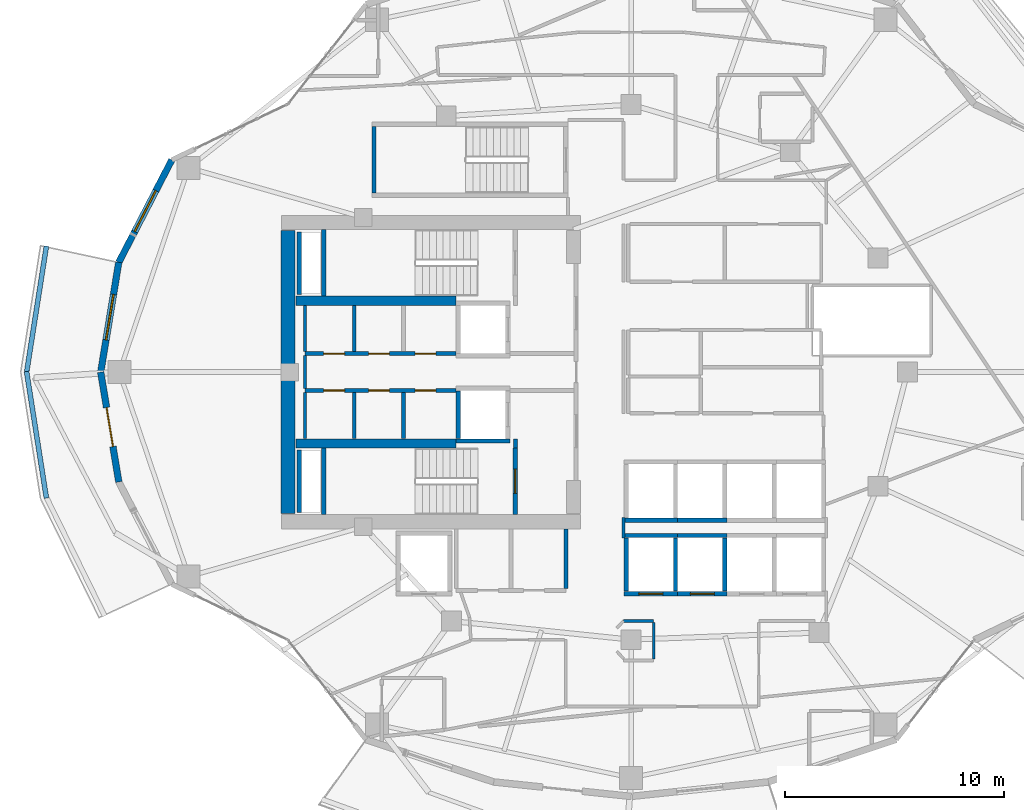
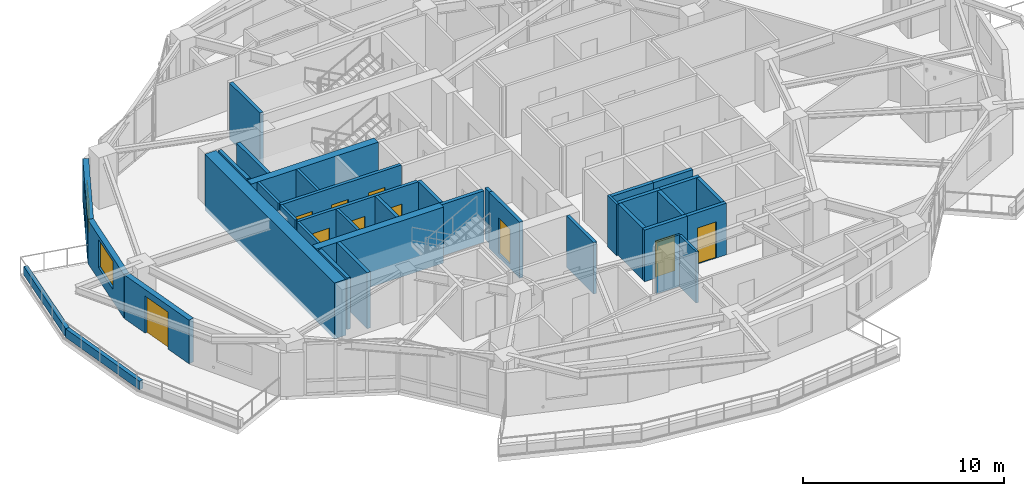
# One storey, part 8 of 18: 38 walls, 10 doors, 2 windows, 12 openings.
"""IFC4 building model written with IfcOpenShell, lengths in metres."""

from ifc_helpers import new_model, si_unit, direction, frame, frame_2d, origin, place, context, subcontext, project, spatial, rectangle, extrude, material, layer, layer_set, type_object, element, fill, save


model = new_model("IFC4")

# Units and contexts
model_context = context("Model", 3, precision=1e-05, world=origin(), true_north=direction((0.0, 1.0)))
body_context = subcontext(model_context, "Body", "Model", "MODEL_VIEW")
ifc_project = project(units=[si_unit("LENGTHUNIT", "METRE"), si_unit("AREAUNIT", "SQUARE_METRE"), si_unit("VOLUMEUNIT", "CUBIC_METRE"), si_unit("PLANEANGLEUNIT", "RADIAN"), si_unit("MASSUNIT", "GRAM", prefix="KILO")], contexts=[model_context])

# Site, building, storey
site_placement = place(None, origin())
site = spatial("IfcSite", under=ifc_project, at=site_placement, CompositionType="ELEMENT")
building_placement = place(site_placement, origin())
building = spatial("IfcBuilding", under=site, at=building_placement, Name="Kolvaren Gate Tower and Convention Centre", CompositionType="ELEMENT")
storey_placement = place(building_placement, frame((0.0, 0.0, 108.699951171875)))
storey = spatial("IfcBuildingStorey", under=building, at=storey_placement, Name="L26", CompositionType="ELEMENT", Elevation=108.699951171875)

# Wall
ifc_material_1 = material(Name="Autoclaved Aerated Masonry Blockwork Class 4 (4.0 MPa)", Category="masonry")
ifc_layer_1 = layer(ifc_material_1, 0.179931640625)
ifc_layer_set_1 = layer_set([ifc_layer_1], Name="Autoclaved Aerated Masonry Blockwork Class 4 (4.0 MPa)")
wall_type_1 = type_object("IfcWallType", Name="ARCH-WL-COMP-180", PredefinedType="SOLIDWALL", material=ifc_layer_set_1)
wall_1_placement = place(storey_placement, frame((24.85009765625, 23.5400390625, 0.0), z_axis=(0.0, 0.0, 1.0), x_axis=(0.0, 1.0, 0.0)))
element("IfcWall", 1, at=wall_1_placement, inside=storey, type_object=wall_type_1, Name="Interior Partition WL-L26-INT-001", PredefinedType="SOLIDWALL", context=body_context, shape_type="SweptSolid", body=[
    extrude(rectangle(XDim=0.419921875, YDim=0.179931640625, at=frame_2d((0.2099609375, 0.0))), origin(), (0.0, 0.0, 1.0), 3.130126953125),
])

# Wall, openings, doors
wall_2_placement = place(storey_placement, frame((15.25, 27.840087890625, 0.0), z_axis=(0.0, 0.0, 1.0), x_axis=(1.0, 0.0, 0.0)))
wall_2 = element("IfcWall", 2, at=wall_2_placement, inside=storey, type_object=wall_type_1, Name="Interior Partition WL-L26-INT-004", PredefinedType="SOLIDWALL", context=body_context, shape_type="SweptSolid", body=[
    extrude(rectangle(XDim=6.89990234375, YDim=0.179931640625, at=frame_2d((3.449951171875, 0.0))), origin(), (0.0, 0.0, 1.0), 3.130126953125),
])
opening_1_placement = place(wall_2_placement, frame((5.02001953125, 0.0, 0.0)))
opening_1 = element("IfcOpeningElement", 3, at=opening_1_placement, cuts=wall_2, Name="Opening DR-01", PredefinedType="OPENING", context=body_context, shape_type="SweptSolid", body=[
    extrude(rectangle(XDim=0.949951171875, YDim=2.10009765625, at=frame_2d((0.47509765625, 1.050048828125))), frame((0.0, 0.099853515625, 0.0), z_axis=(0.0, -1.0, 0.0), x_axis=(1.0, 0.0, 0.0)), (0.0, 0.0, 1.0), 0.199951171875),
])
opening_2_placement = place(wall_2_placement, frame((0.85498046875, 0.0, 0.0)))
opening_2 = element("IfcOpeningElement", 4, at=opening_2_placement, cuts=wall_2, Name="Opening DR-01", PredefinedType="OPENING", context=body_context, shape_type="SweptSolid", body=[
    extrude(rectangle(XDim=0.949951171875, YDim=2.10009765625, at=frame_2d((0.47509765625, 1.050048828125))), frame((0.0, 0.099853515625, 0.0), z_axis=(0.0, -1.0, 0.0), x_axis=(1.0, 0.0, 0.0)), (0.0, 0.0, 1.0), 0.199951171875),
])
opening_3_placement = place(wall_2_placement, frame((2.89990234375, 0.0, 0.0)))
opening_3 = element("IfcOpeningElement", 5, at=opening_3_placement, cuts=wall_2, Name="Opening DR-01", PredefinedType="OPENING", context=body_context, shape_type="SweptSolid", body=[
    extrude(rectangle(XDim=0.949951171875, YDim=2.10009765625, at=frame_2d((0.47509765625, 1.050048828125))), frame((0.0, 0.099853515625, 0.0), z_axis=(0.0, -1.0, 0.0), x_axis=(1.0, 0.0, 0.0)), (0.0, 0.0, 1.0), 0.199951171875),
])
ifc_material_2 = material(Name="Painted Architectural Steelwork ASTM A500 Grade C 345 MPa", Category="steel")
door_type_1 = type_object("IfcDoorType", Name="ARCH-DR-RISER-950", OperationType="SINGLE_SWING_RIGHT", PredefinedType="DOOR", material=ifc_material_2)
door_1_placement = place(opening_1_placement, origin())
door_1 = element("IfcDoor", 6, at=door_1_placement, inside=storey, type_object=door_type_1, Name="Electrical Switchgear Closet Door", OperationType="SINGLE_SWING_LEFT", OverallHeight=2.10009765625, OverallWidth=0.949951171875, PredefinedType="DOOR", context=body_context, shape_type="SweptSolid", body=[
    extrude(rectangle(XDim=0.949951171875, YDim=2.10009765625, at=frame_2d((0.47509765625, 1.050048828125))), frame((0.0, 0.02490234375, 0.0), z_axis=(0.0, -1.0, 0.0), x_axis=(1.0, 0.0, 0.0)), (0.0, 0.0, 1.0), 0.050048828125),
])
fill(opening_1, door_1)
door_2_placement = place(opening_2_placement, origin())
door_2 = element("IfcDoor", 7, at=door_2_placement, inside=storey, type_object=door_type_1, Name="Staff Accessible WC Door", OperationType="SINGLE_SWING_LEFT", OverallHeight=2.10009765625, OverallWidth=0.949951171875, PredefinedType="DOOR", context=body_context, shape_type="SweptSolid", body=[
    extrude(rectangle(XDim=0.949951171875, YDim=2.10009765625, at=frame_2d((0.47509765625, 1.050048828125))), frame((0.0, 0.02490234375, 0.0), z_axis=(0.0, -1.0, 0.0), x_axis=(1.0, 0.0, 0.0)), (0.0, 0.0, 1.0), 0.050048828125),
])
fill(opening_2, door_2)
door_3_placement = place(opening_3_placement, origin())
door_3 = element("IfcDoor", 8, at=door_3_placement, inside=storey, type_object=door_type_1, Name="Housekeeping Sink Closet Door", OperationType="SINGLE_SWING_RIGHT", OverallHeight=2.10009765625, OverallWidth=0.949951171875, PredefinedType="DOOR", context=body_context, shape_type="SweptSolid", body=[
    extrude(rectangle(XDim=0.949951171875, YDim=2.10009765625, at=frame_2d((0.47509765625, 1.050048828125))), frame((0.0, 0.02490234375, 0.0), z_axis=(0.0, -1.0, 0.0), x_axis=(1.0, 0.0, 0.0)), (0.0, 0.0, 1.0), 0.050048828125),
])
fill(opening_3, door_3)

wall_3_placement = place(storey_placement, frame((15.25, 26.159912109375, 0.0), z_axis=(0.0, 0.0, 1.0), x_axis=(1.0, 0.0, 0.0)))
wall_3 = element("IfcWall", 9, at=wall_3_placement, inside=storey, type_object=wall_type_1, Name="Interior Partition WL-L26-INT-005", PredefinedType="SOLIDWALL", context=body_context, shape_type="SweptSolid", body=[
    extrude(rectangle(XDim=6.89990234375, YDim=0.179931640625, at=frame_2d((3.449951171875, 0.0))), origin(), (0.0, 0.0, 1.0), 3.130126953125),
])
opening_4_placement = place(wall_3_placement, frame((5.02001953125, 0.0, 0.0)))
opening_4 = element("IfcOpeningElement", 10, at=opening_4_placement, cuts=wall_3, Name="Opening DR-01", PredefinedType="OPENING", context=body_context, shape_type="SweptSolid", body=[
    extrude(rectangle(XDim=0.949951171875, YDim=2.10009765625, at=frame_2d((0.47509765625, 1.050048828125))), frame((0.0, 0.099853515625, 0.0), z_axis=(0.0, -1.0, 0.0), x_axis=(1.0, 0.0, 0.0)), (0.0, 0.0, 1.0), 0.199951171875),
])
opening_5_placement = place(wall_3_placement, frame((0.85498046875, 0.0, 0.0)))
opening_5 = element("IfcOpeningElement", 11, at=opening_5_placement, cuts=wall_3, Name="Opening DR-01", PredefinedType="OPENING", context=body_context, shape_type="SweptSolid", body=[
    extrude(rectangle(XDim=0.949951171875, YDim=2.10009765625, at=frame_2d((0.47509765625, 1.050048828125))), frame((0.0, 0.099853515625, 0.0), z_axis=(0.0, -1.0, 0.0), x_axis=(1.0, 0.0, 0.0)), (0.0, 0.0, 1.0), 0.199951171875),
])
opening_6_placement = place(wall_3_placement, frame((2.89990234375, 0.0, 0.0)))
opening_6 = element("IfcOpeningElement", 12, at=opening_6_placement, cuts=wall_3, Name="Opening DR-01", PredefinedType="OPENING", context=body_context, shape_type="SweptSolid", body=[
    extrude(rectangle(XDim=0.949951171875, YDim=2.10009765625, at=frame_2d((0.47509765625, 1.050048828125))), frame((0.0, 0.099853515625, 0.0), z_axis=(0.0, -1.0, 0.0), x_axis=(1.0, 0.0, 0.0)), (0.0, 0.0, 1.0), 0.199951171875),
])
door_4_placement = place(opening_4_placement, origin())
door_4 = element("IfcDoor", 13, at=door_4_placement, inside=storey, type_object=door_type_1, Name="Domestic Water Meter Closet Door", OperationType="SINGLE_SWING_RIGHT", OverallHeight=2.10009765625, OverallWidth=0.949951171875, PredefinedType="DOOR", context=body_context, shape_type="SweptSolid", body=[
    extrude(rectangle(XDim=0.949951171875, YDim=2.10009765625, at=frame_2d((0.47509765625, 1.050048828125))), frame((0.0, 0.02490234375, 0.0), z_axis=(0.0, -1.0, 0.0), x_axis=(1.0, 0.0, 0.0)), (0.0, 0.0, 1.0), 0.050048828125),
])
fill(opening_4, door_4)
door_5_placement = place(opening_5_placement, origin())
door_5 = element("IfcDoor", 14, at=door_5_placement, inside=storey, type_object=door_type_1, Name="Beverage Service Pantry Door", OperationType="SINGLE_SWING_LEFT", OverallHeight=2.10009765625, OverallWidth=0.949951171875, PredefinedType="DOOR", context=body_context, shape_type="SweptSolid", body=[
    extrude(rectangle(XDim=0.949951171875, YDim=2.10009765625, at=frame_2d((0.47509765625, 1.050048828125))), frame((0.0, 0.02490234375, 0.0), z_axis=(0.0, -1.0, 0.0), x_axis=(1.0, 0.0, 0.0)), (0.0, 0.0, 1.0), 0.050048828125),
])
fill(opening_5, door_5)
door_6_placement = place(opening_6_placement, origin())
door_6 = element("IfcDoor", 15, at=door_6_placement, inside=storey, type_object=door_type_1, Name="Archive Supply Closet Door", OperationType="SINGLE_SWING_RIGHT", OverallHeight=2.10009765625, OverallWidth=0.949951171875, PredefinedType="DOOR", context=body_context, shape_type="SweptSolid", body=[
    extrude(rectangle(XDim=0.949951171875, YDim=2.10009765625, at=frame_2d((0.47509765625, 1.050048828125))), frame((0.0, 0.02490234375, 0.0), z_axis=(0.0, -1.0, 0.0), x_axis=(1.0, 0.0, 0.0)), (0.0, 0.0, 1.0), 0.050048828125),
])
fill(opening_6, door_6)

# Walls
wall_4_placement = place(storey_placement, frame((19.75, 23.9619140625, 0.0), z_axis=(0.0, 0.0, 1.0), x_axis=(0.0, 1.0, 0.0)))
element("IfcWall", 16, at=wall_4_placement, inside=storey, type_object=wall_type_1, Name="Interior Partition WL-L26-INT-007", PredefinedType="SOLIDWALL", context=body_context, shape_type="SweptSolid", body=[
    extrude(rectangle(XDim=2.106201171875, YDim=0.179931640625, at=frame_2d((1.05322265625, 0.0))), origin(), (0.0, 0.0, 1.0), 3.130126953125),
])
wall_5_placement = place(storey_placement, frame((27.14990234375, 17.14208984375, 0.0), z_axis=(0.0, 0.0, 1.0), x_axis=(0.0, 1.0, 0.0)))
element("IfcWall", 17, at=wall_5_placement, inside=storey, type_object=wall_type_1, Name="Interior Partition WL-L26-INT-015", PredefinedType="SOLIDWALL", context=body_context, shape_type="SweptSolid", body=[
    extrude(rectangle(XDim=2.705810546875, YDim=0.179931640625, at=frame_2d((1.35302734375, 0.0))), origin(), (0.0, 0.0, 1.0), 3.130126953125),
])
ifc_material_3 = material(Name="Fire-Rated Acoustic Gypsum Stud Partition", Category="gypsum")
ifc_layer_2 = layer(ifc_material_3, 0.1201171875)
ifc_layer_set_2 = layer_set([ifc_layer_2], Name="Fire-Rated Acoustic Gypsum Stud Partition")
wall_type_2 = type_object("IfcWallType", Name="ARCH-WL-PART-120", PredefinedType="PARTITIONING", material=ifc_layer_set_2)
wall_6_placement = place(storey_placement, frame((29.780029296875, 15.64990234375, 0.0), z_axis=(0.0, 0.0, 1.0), x_axis=(1.0, 0.0, 0.0)))
element("IfcWall", 18, at=wall_6_placement, inside=storey, type_object=wall_type_2, Name="Interior Partition WL-L26-INT-030", PredefinedType="PARTITIONING", context=body_context, shape_type="SweptSolid", body=[
    extrude(rectangle(XDim=1.369873046875, YDim=0.1201171875, at=frame_2d((0.68505859375, 0.0))), origin(), (0.0, 0.0, 1.0), 3.130126953125),
])
wall_7_placement = place(storey_placement, frame((29.780029296875, 19.43994140625, 0.0), z_axis=(0.0, 0.0, 1.0), x_axis=(0.0, 1.0, 0.0)))
element("IfcWall", 19, at=wall_7_placement, inside=storey, type_object=wall_type_2, Name="Interior Partition WL-L26-INT-040", PredefinedType="PARTITIONING", context=body_context, shape_type="SweptSolid", body=[
    extrude(rectangle(XDim=0.920166015625, YDim=0.1201171875, at=frame_2d((0.4599609375, 0.0))), origin(), (0.0, 0.0, 1.0), 3.130126953125),
])
wall_8_placement = place(storey_placement, frame((31.14990234375, 13.912109375, 0.0), z_axis=(0.0, 0.0, 1.0), x_axis=(0.0, 1.0, 0.0)))
element("IfcWall", 20, at=wall_8_placement, inside=storey, type_object=wall_type_2, Name="Interior Partition WL-L26-INT-059", PredefinedType="PARTITIONING", context=body_context, shape_type="SweptSolid", body=[
    extrude(rectangle(XDim=1.67578125, YDim=0.1201171875, at=frame_2d((0.837890625, 0.0))), origin(), (0.0, 0.0, 1.0), 3.130126953125),
])
ifc_material_4 = material(Name="Piedmont Cream Honed Limestone Cladding", Category="masonry")
ifc_layer_3 = layer(ifc_material_4, 0.219970703125)
ifc_layer_set_3 = layer_set([ifc_layer_3], Name="Piedmont Cream Honed Limestone Cladding")
wall_type_3 = type_object("IfcWallType", Name="ARCH-WL-PLANTER-220", PredefinedType="PARAPET", material=ifc_layer_set_3)
for number, where, z_axis, x_axis, name in (
    (21, (2.555908203125, 26.970703125, 0.0), (0.0, 0.0, 1.0), (0.154903030247, 0.987929679289, 0.0), "Vertical-Forest Balcony Stone Planter Kerb PK-L26-2.1"),
    (22, (2.555908203125, 27.029296875, 0.0), (0.0, 0.0, 1.0), (0.154903030247, -0.987929679289, 0.0), "Vertical-Forest Balcony Stone Planter Kerb PK-L26-2.2"),
):
    element("IfcWall", number, at=place(storey_placement, frame(where, z_axis=z_axis, x_axis=x_axis)), inside=storey, type_object=wall_type_3, Name=name, PredefinedType="PARAPET", context=body_context, shape_type="SweptSolid", body=[
        extrude(rectangle(XDim=5.845703125, YDim=0.219970703125, at=frame_2d((2.9228515625, 0.0))), origin(), (0.0, 0.0, 1.0), 0.52001953125),
    ])
ifc_layer_4 = layer(ifc_material_1, 0.199951171875)
ifc_layer_set_4 = layer_set([ifc_layer_4], Name="Autoclaved Aerated Masonry Blockwork Class 4 (4.0 MPa)")
wall_type_4 = type_object("IfcWallType", Name="ARCH-WL-SHAFT-200", PredefinedType="SOLIDWALL", material=ifc_layer_set_4)
wall_9_placement = place(storey_placement, frame((22.14990234375, 23.860107421875, 0.0), z_axis=(0.0, 0.0, 1.0), x_axis=(1.0, 0.0, 0.0)))
element("IfcWall", 23, at=wall_9_placement, inside=storey, type_object=wall_type_4, Name="Elevator FF-02 L26 Fire Shaft Wall S", PredefinedType="SOLIDWALL", context=body_context, shape_type="SweptSolid", body=[
    extrude(rectangle(XDim=2.4501953125, YDim=0.199951171875, at=frame_2d((1.22509765625, 0.0))), origin(), (0.0, 0.0, 1.0), 3.130126953125),
])
wall_10_placement = place(storey_placement, frame((22.25, 23.969970703125, 0.0), z_axis=(0.0, 0.0, 1.0), x_axis=(0.0, 1.0, 0.0)))
element("IfcWall", 24, at=wall_10_placement, inside=storey, type_object=wall_type_4, Name="Elevator FF-02 L26 Fire Shaft Wall W", PredefinedType="SOLIDWALL", context=body_context, shape_type="SweptSolid", body=[
    extrude(rectangle(XDim=2.179931640625, YDim=0.199951171875, at=frame_2d((1.08984375, 0.0))), origin(), (0.0, 0.0, 1.0), 3.130126953125),
])
wall_11_placement = place(storey_placement, frame((29.800048828125, 19.550048828125, 0.0), z_axis=(0.0, 0.0, 1.0), x_axis=(1.0, 0.0, 0.0)))
element("IfcWall", 25, at=wall_11_placement, inside=storey, type_object=wall_type_4, Name="Elevator PL-05 L26 Fire Shaft Wall N", PredefinedType="SOLIDWALL", context=body_context, shape_type="SweptSolid", body=[
    extrude(rectangle(XDim=2.449951171875, YDim=0.199951171875, at=frame_2d((1.22509765625, 0.0))), origin(), (0.0, 0.0, 1.0), 3.130126953125),
])

# Wall, opening, door
wall_12_placement = place(storey_placement, frame((29.800048828125, 16.89990234375, 0.0), z_axis=(0.0, 0.0, 1.0), x_axis=(1.0, 0.0, 0.0)))
wall_12 = element("IfcWall", 26, at=wall_12_placement, inside=storey, type_object=wall_type_4, Name="Elevator PL-05 L26 Fire Shaft Wall S", PredefinedType="SOLIDWALL", context=body_context, shape_type="SweptSolid", body=[
    extrude(rectangle(XDim=2.449951171875, YDim=0.199951171875, at=frame_2d((1.22509765625, 0.0))), origin(), (0.0, 0.0, 1.0), 3.130126953125),
])
opening_7_placement = place(wall_12_placement, frame((0.675048828125, 0.0, 0.0)))
opening_7 = element("IfcOpeningElement", 27, at=opening_7_placement, cuts=wall_12, Name="Opening LD", PredefinedType="OPENING", context=body_context, shape_type="SweptSolid", body=[
    extrude(rectangle(XDim=1.10009765625, YDim=2.199951171875, at=frame_2d((0.550048828125, 1.10009765625))), frame((0.0, 0.10986328125, 0.0), z_axis=(0.0, -1.0, 0.0), x_axis=(1.0, 0.0, 0.0)), (0.0, 0.0, 1.0), 0.219970703125),
])
ifc_material_5 = material(Name="Brushed Stainless Steel Grade 316L", Category="steel")
door_type_2 = type_object("IfcDoorType", Name="ARCH-DR-LIFT-1100", OperationType="SLIDING_TO_LEFT", PredefinedType="DOOR", material=ifc_material_5)
door_7_placement = place(opening_7_placement, origin())
door_7 = element("IfcDoor", 28, at=door_7_placement, inside=storey, type_object=door_type_2, Name="Elevator PL-05 L26 Sliding Landing Door", OperationType="SLIDING_TO_LEFT", OverallHeight=2.199951171875, OverallWidth=1.10009765625, PredefinedType="DOOR", context=body_context, shape_type="SweptSolid", body=[
    extrude(rectangle(XDim=1.10009765625, YDim=2.199951171875, at=frame_2d((0.550048828125, 1.10009765625))), frame((0.0, 0.02490234375, 0.0), z_axis=(0.0, -1.0, 0.0), x_axis=(1.0, 0.0, 0.0)), (0.0, 0.0, 1.0), 0.050048828125),
])
fill(opening_7, door_7)

# Walls
for number, where, z_axis, x_axis, name in (
    (29, (29.89990234375, 17.010009765625, 0.0), (0.0, 0.0, 1.0), (0.0, 1.0, 0.0), "Elevator PL-05 L26 Fire Shaft Wall W"),
    (30, (32.14990234375, 17.010009765625, 0.0), (0.0, 0.0, 1.0), (0.0, 1.0, 0.0), "Elevator PL-05 L26 Fire Shaft Wall E"),
):
    element("IfcWall", number, at=place(storey_placement, frame(where, z_axis=z_axis, x_axis=x_axis)), inside=storey, type_object=wall_type_4, Name=name, PredefinedType="SOLIDWALL", context=body_context, shape_type="SweptSolid", body=[
        extrude(rectangle(XDim=2.429931640625, YDim=0.199951171875, at=frame_2d((1.21484375, 0.0))), origin(), (0.0, 0.0, 1.0), 3.130126953125),
    ])
wall_13_placement = place(storey_placement, frame((32.25, 19.550048828125, 0.0), z_axis=(0.0, 0.0, 1.0), x_axis=(1.0, 0.0, 0.0)))
element("IfcWall", 31, at=wall_13_placement, inside=storey, type_object=wall_type_4, Name="Elevator PL-06 L26 Fire Shaft Wall N", PredefinedType="SOLIDWALL", context=body_context, shape_type="SweptSolid", body=[
    extrude(rectangle(XDim=2.25, YDim=0.199951171875, at=frame_2d((1.125, 0.0))), origin(), (0.0, 0.0, 1.0), 3.130126953125),
])

# Wall, opening, door
wall_14_placement = place(storey_placement, frame((32.25, 16.89990234375, 0.0), z_axis=(0.0, 0.0, 1.0), x_axis=(1.0, 0.0, 0.0)))
wall_14 = element("IfcWall", 32, at=wall_14_placement, inside=storey, type_object=wall_type_4, Name="Elevator PL-06 L26 Fire Shaft Wall S", PredefinedType="SOLIDWALL", context=body_context, shape_type="SweptSolid", body=[
    extrude(rectangle(XDim=2.25, YDim=0.199951171875, at=frame_2d((1.125, 0.0))), origin(), (0.0, 0.0, 1.0), 3.130126953125),
])
opening_8_placement = place(wall_14_placement, frame((0.574951171875, 0.0, 0.0)))
opening_8 = element("IfcOpeningElement", 33, at=opening_8_placement, cuts=wall_14, Name="Opening LD", PredefinedType="OPENING", context=body_context, shape_type="SweptSolid", body=[
    extrude(rectangle(XDim=1.10009765625, YDim=2.199951171875, at=frame_2d((0.550048828125, 1.10009765625))), frame((0.0, 0.10986328125, 0.0), z_axis=(0.0, -1.0, 0.0), x_axis=(1.0, 0.0, 0.0)), (0.0, 0.0, 1.0), 0.219970703125),
])
door_8_placement = place(opening_8_placement, origin())
door_8 = element("IfcDoor", 34, at=door_8_placement, inside=storey, type_object=door_type_2, Name="Elevator PL-06 L26 Sliding Landing Door", OperationType="SLIDING_TO_LEFT", OverallHeight=2.199951171875, OverallWidth=1.10009765625, PredefinedType="DOOR", context=body_context, shape_type="SweptSolid", body=[
    extrude(rectangle(XDim=1.10009765625, YDim=2.199951171875, at=frame_2d((0.550048828125, 1.10009765625))), frame((0.0, 0.02490234375, 0.0), z_axis=(0.0, -1.0, 0.0), x_axis=(1.0, 0.0, 0.0)), (0.0, 0.0, 1.0), 0.050048828125),
])
fill(opening_8, door_8)

# Walls
wall_15_placement = place(storey_placement, frame((34.39990234375, 17.010009765625, 0.0), z_axis=(0.0, 0.0, 1.0), x_axis=(0.0, 1.0, 0.0)))
element("IfcWall", 35, at=wall_15_placement, inside=storey, type_object=wall_type_4, Name="Elevator PL-06 L26 Fire Shaft Wall E", PredefinedType="SOLIDWALL", context=body_context, shape_type="SweptSolid", body=[
    extrude(rectangle(XDim=2.429931640625, YDim=0.199951171875, at=frame_2d((1.21484375, 0.0))), origin(), (0.0, 0.0, 1.0), 3.130126953125),
])
wall_16_placement = place(storey_placement, frame((29.800048828125, 20.25, 0.0), z_axis=(0.0, 0.0, 1.0), x_axis=(1.0, 0.0, 0.0)))
element("IfcWall", 36, at=wall_16_placement, inside=storey, type_object=wall_type_4, Name="Elevator PL-09 L26 Fire Shaft Wall S", PredefinedType="SOLIDWALL", context=body_context, shape_type="SweptSolid", body=[
    extrude(rectangle(XDim=2.449951171875, YDim=0.199951171875, at=frame_2d((1.22509765625, 0.0))), origin(), (0.0, 0.0, 1.0), 3.130126953125),
])
wall_17_placement = place(storey_placement, frame((32.25, 20.25, 0.0), z_axis=(0.0, 0.0, 1.0), x_axis=(1.0, 0.0, 0.0)))
element("IfcWall", 37, at=wall_17_placement, inside=storey, type_object=wall_type_4, Name="Elevator PL-10 L26 Fire Shaft Wall S", PredefinedType="SOLIDWALL", context=body_context, shape_type="SweptSolid", body=[
    extrude(rectangle(XDim=2.25, YDim=0.199951171875, at=frame_2d((1.125, 0.0))), origin(), (0.0, 0.0, 1.0), 3.130126953125),
])
for number, where, z_axis, x_axis, name in (
    (38, (14.989990234375, 30.550048828125, 0.0), (0.0, 0.0, 1.0), (0.0, 1.0, 0.0), "Vertical Shaft HVR L26 EI-120 Enclosure Wall W"),
    (39, (14.989990234375, 20.60009765625, 0.0), (0.0, 0.0, 1.0), (0.0, 1.0, 0.0), "Vertical Shaft MPR L26 EI-120 Enclosure Wall W"),
):
    element("IfcWall", number, at=place(storey_placement, frame(where, z_axis=z_axis, x_axis=x_axis)), inside=storey, type_object=wall_type_4, Name=name, PredefinedType="SOLIDWALL", context=body_context, shape_type="SweptSolid", body=[
        extrude(rectangle(XDim=2.849853515625, YDim=0.199951171875, at=frame_2d((1.4248046875, 0.0))), origin(), (0.0, 0.0, 1.0), 3.130126953125),
    ])

# Wall, opening, window
ifc_layer_5 = layer(ifc_material_4, 0.300048828125)
ifc_layer_set_5 = layer_set([ifc_layer_5], Name="Piedmont Cream Honed Limestone Cladding")
wall_type_5 = type_object("IfcWallType", Name="ARCH-WL-STONE-300", PredefinedType="SOLIDWALL", material=ifc_layer_set_5)
wall_18_placement = place(storey_placement, frame((6.76171875, 32.008056640625, 0.0), z_axis=(0.0, 0.0, 1.0), x_axis=(0.459767899643, 0.888039119892, 0.0)))
wall_18 = element("IfcWall", 40, at=wall_18_placement, inside=storey, type_object=wall_type_5, Name="Tower L26 Honed Stone Spandrel Wall EW-10", PredefinedType="SOLIDWALL", context=body_context, shape_type="SweptSolid", body=[
    extrude(rectangle(XDim=5.25537109375, YDim=0.300048828125, at=frame_2d((2.627685546875, 0.0))), origin(), (0.0, 0.0, 1.0), 2.653076171875),
])
opening_9_placement = place(wall_18_placement, frame((1.577880859375, 0.0, 0.739990234375)))
opening_9 = element("IfcOpeningElement", 41, at=opening_9_placement, cuts=wall_18, Name="Opening W-02", PredefinedType="OPENING", context=body_context, shape_type="SweptSolid", body=[
    extrude(rectangle(XDim=2.10009765625, YDim=1.699951171875, at=frame_2d((1.050048828125, 0.85009765625))), frame((0.0, 0.159912109375, 0.0), z_axis=(0.0, -1.0, 0.0), x_axis=(1.0, 0.0, 0.0)), (0.0, 0.0, 1.0), 0.320068359375),
])
ifc_material_6 = material(Name="Low-E Triple Insulated Glazing Unit 44 mm", Category="glass")
window_type = type_object("IfcWindowType", Name="ARCH-WN-HTL-2100", PartitioningType="SINGLE_PANEL", PredefinedType="WINDOW", material=ifc_material_6)
window_1_placement = place(opening_9_placement, origin())
window_1 = element("IfcWindow", 42, at=window_1_placement, inside=storey, type_object=window_type, Name="Tower L26 Punched Stone Facade Window W-10", OverallHeight=1.699951171875, OverallWidth=2.10009765625, PartitioningType="SINGLE_PANEL", PredefinedType="WINDOW", context=body_context, shape_type="SweptSolid", body=[
    extrude(rectangle(XDim=2.10009765625, YDim=1.699951171875, at=frame_2d((1.050048828125, 0.85009765625))), frame((0.0, 0.030029296875, 0.0), z_axis=(0.0, -1.0, 0.0), x_axis=(1.0, 0.0, 0.0)), (0.0, 0.0, 1.0), 0.06005859375),
])
fill(opening_9, window_1)

wall_19_placement = place(storey_placement, frame((5.9375, 27.0, 0.0), z_axis=(0.0, 0.0, 1.0), x_axis=(0.162393944769, 0.986726003864, 0.0)))
wall_19 = element("IfcWall", 43, at=wall_19_placement, inside=storey, type_object=wall_type_5, Name="Tower L26 Honed Stone Spandrel Wall EW-11", PredefinedType="SOLIDWALL", context=body_context, shape_type="SweptSolid", body=[
    extrude(rectangle(XDim=5.075439453125, YDim=0.300048828125, at=frame_2d((2.53759765625, 0.0))), origin(), (0.0, 0.0, 1.0), 2.653076171875),
])
opening_10_placement = place(wall_19_placement, frame((1.488037109375, 0.0, 0.739990234375)))
opening_10 = element("IfcOpeningElement", 44, at=opening_10_placement, cuts=wall_19, Name="Opening W-02", PredefinedType="OPENING", context=body_context, shape_type="SweptSolid", body=[
    extrude(rectangle(XDim=2.10009765625, YDim=1.699951171875, at=frame_2d((1.050048828125, 0.85009765625))), frame((0.0, 0.159912109375, 0.0), z_axis=(0.0, -1.0, 0.0), x_axis=(1.0, 0.0, 0.0)), (0.0, 0.0, 1.0), 0.320068359375),
])
window_2_placement = place(opening_10_placement, origin())
window_2 = element("IfcWindow", 45, at=window_2_placement, inside=storey, type_object=window_type, Name="Tower L26 Punched Stone Facade Window W-11", OverallHeight=1.699951171875, OverallWidth=2.10009765625, PartitioningType="SINGLE_PANEL", PredefinedType="WINDOW", context=body_context, shape_type="SweptSolid", body=[
    extrude(rectangle(XDim=2.10009765625, YDim=1.699951171875, at=frame_2d((1.050048828125, 0.85009765625))), frame((0.0, 0.030029296875, 0.0), z_axis=(0.0, -1.0, 0.0), x_axis=(1.0, 0.0, 0.0)), (0.0, 0.0, 1.0), 0.06005859375),
])
fill(opening_10, window_2)

# Wall, opening, door
wall_20_placement = place(storey_placement, frame((5.9375, 27.0, 0.0), z_axis=(0.0, 0.0, 1.0), x_axis=(0.162393944769, -0.986726003864, 0.0)))
wall_20 = element("IfcWall", 46, at=wall_20_placement, inside=storey, type_object=wall_type_5, Name="Tower L26 Honed Stone Spandrel Wall EW-12", PredefinedType="SOLIDWALL", context=body_context, shape_type="SweptSolid", body=[
    extrude(rectangle(XDim=5.075439453125, YDim=0.300048828125, at=frame_2d((2.53759765625, 0.0))), origin(), (0.0, 0.0, 1.0), 2.653076171875),
])
opening_11_placement = place(wall_20_placement, frame((1.637939453125, 0.0, 0.0)))
opening_11 = element("IfcOpeningElement", 47, at=opening_11_placement, cuts=wall_20, Name="Opening DB-01", PredefinedType="OPENING", context=body_context, shape_type="SweptSolid", body=[
    extrude(rectangle(XDim=1.800048828125, YDim=2.25, at=frame_2d((0.89990234375, 1.125))), frame((0.0, 0.159912109375, 0.0), z_axis=(0.0, -1.0, 0.0), x_axis=(1.0, 0.0, 0.0)), (0.0, 0.0, 1.0), 0.320068359375),
])
ifc_material_7 = material(Name="Anodized Architectural Aluminium Alloy 6063-T6", Category="aluminium")
door_type_3 = type_object("IfcDoorType", Name="ARCH-DR-BALC-1800", OperationType="SLIDING_TO_LEFT", PredefinedType="DOOR", material=ifc_material_7)
door_9_placement = place(opening_11_placement, frame((1.800048828125, 0.0, 0.0), z_axis=(0.0, 0.0, 1.0), x_axis=(-1.0, 0.0, 0.0)))
door_9 = element("IfcDoor", 48, at=door_9_placement, inside=storey, type_object=door_type_3, Name="Planted Sky Terrace Access Door DB-L26-12", OperationType="SLIDING_TO_LEFT", OverallHeight=2.25, OverallWidth=1.800048828125, PredefinedType="DOOR", context=body_context, shape_type="SweptSolid", body=[
    extrude(rectangle(XDim=1.800048828125, YDim=2.25, at=frame_2d((0.89990234375, 1.125))), frame((0.0, 0.02490234375, 0.0), z_axis=(0.0, -1.0, 0.0), x_axis=(1.0, 0.0, 0.0)), (0.0, 0.0, 1.0), 0.050048828125),
])
fill(opening_11, door_9)

# Walls
ifc_material_8 = material(Name="Moisture-Resistant Cement-Board Acoustic Partition", Category="gypsum")
ifc_layer_6 = layer(ifc_material_8, 0.14990234375)
ifc_layer_set_6 = layer_set([ifc_layer_6], Name="Moisture-Resistant Cement-Board Acoustic Partition")
wall_type_6 = type_object("IfcWallType", Name="ARCH-WL-WET-150", PredefinedType="PARTITIONING", material=ifc_layer_set_6)
wall_21_placement = place(storey_placement, frame((15.25, 23.9619140625, 0.0), z_axis=(0.0, 0.0, 1.0), x_axis=(0.0, 1.0, 0.0)))
element("IfcWall", 49, at=wall_21_placement, inside=storey, type_object=wall_type_6, Name="Interior Partition WL-L26-INT-006", PredefinedType="PARTITIONING", context=body_context, shape_type="SweptSolid", body=[
    extrude(rectangle(XDim=2.106201171875, YDim=0.14990234375, at=frame_2d((1.05322265625, 0.0))), origin(), (0.0, 0.0, 1.0), 3.130126953125),
])
wall_22_placement = place(storey_placement, frame((15.25, 26.251953125, 0.0), z_axis=(0.0, 0.0, 1.0), x_axis=(0.0, 1.0, 0.0)))
element("IfcWall", 50, at=wall_22_placement, inside=storey, type_object=wall_type_6, Name="Interior Partition WL-L26-INT-006 (2)", PredefinedType="PARTITIONING", context=body_context, shape_type="SweptSolid", body=[
    extrude(rectangle(XDim=1.49609375, YDim=0.14990234375, at=frame_2d((0.748046875, 0.0))), origin(), (0.0, 0.0, 1.0), 3.130126953125),
])
for number, where, z_axis, x_axis, name in (
    (51, (15.25, 27.931884765625, 0.0), (0.0, 0.0, 1.0), (0.0, 1.0, 0.0), "Interior Partition WL-L26-INT-006 (3)"),
    (52, (17.5, 23.9619140625, 0.0), (0.0, 0.0, 1.0), (0.0, 1.0, 0.0), "Interior Partition WL-L26-INT-009"),
    (53, (17.5, 27.931884765625, 0.0), (0.0, 0.0, 1.0), (0.0, 1.0, 0.0), "Interior Partition WL-L26-INT-010"),
):
    element("IfcWall", number, at=place(storey_placement, frame(where, z_axis=z_axis, x_axis=x_axis)), inside=storey, type_object=wall_type_6, Name=name, PredefinedType="PARTITIONING", context=body_context, shape_type="SweptSolid", body=[
        extrude(rectangle(XDim=2.106201171875, YDim=0.14990234375, at=frame_2d((1.05322265625, 0.0))), origin(), (0.0, 0.0, 1.0), 3.130126953125),
    ])
ifc_material_9 = material(Name="Concrete C50/60", Category="concrete")
ifc_layer_7 = layer(ifc_material_9, 0.419921875)
ifc_layer_set_7 = layer_set([ifc_layer_7], Name="Concrete C50/60")
wall_type_7 = type_object("IfcWallType", Name="STR-WL-CONV-420", PredefinedType="SHEAR", material=ifc_layer_set_7)
for number, where, z_axis, x_axis, name in (
    (54, (14.85009765625, 30.25, -0.27001953125), (0.0, 0.0, 1.0), (1.0, 0.0, 0.0), "Tower L26 Offset Core Shear Wall WN"),
    (55, (14.85009765625, 23.75, -0.27001953125), (0.0, 0.0, 1.0), (1.0, 0.0, 0.0), "Tower L26 Offset Core Shear Wall WS"),
):
    element("IfcWall", number, at=place(storey_placement, frame(where, z_axis=z_axis, x_axis=x_axis)), inside=storey, type_object=wall_type_7, Name=name, PredefinedType="SHEAR", context=body_context, shape_type="SweptSolid", body=[
        extrude(rectangle(XDim=7.2998046875, YDim=0.419921875, at=frame_2d((3.64990234375, 0.0))), origin(), (0.0, 0.0, 1.0), 3.400146484375),
    ])
ifc_material_10 = material(Name="Concrete C60/75", Category="concrete")
ifc_layer_8 = layer(ifc_material_10, 0.64990234375)
ifc_layer_set_8 = layer_set([ifc_layer_8], Name="Concrete C60/75")
wall_type_8 = type_object("IfcWallType", Name="STR-WL-CORE-650", PredefinedType="SHEAR", material=ifc_layer_set_8)
wall_23_placement = place(storey_placement, frame((14.47509765625, 20.550048828125, -0.27001953125), z_axis=(0.0, 0.0, 1.0), x_axis=(0.0, 1.0, 0.0)))
element("IfcWall", 56, at=wall_23_placement, inside=storey, type_object=wall_type_8, Name="Tower L26 Offset Core Shear Wall W", PredefinedType="SHEAR", context=body_context, shape_type="SweptSolid", body=[
    extrude(rectangle(XDim=12.89990234375, YDim=0.64990234375, at=frame_2d((6.449951171875, 0.0))), origin(), (0.0, 0.0, 1.0), 3.400146484375),
])
ifc_layer_9 = layer(ifc_material_9, 0.199951171875)
ifc_layer_set_9 = layer_set([ifc_layer_9], Name="Concrete C50/60")
wall_type_9 = type_object("IfcWallType", Name="STR-WL-SHAFT-200", PredefinedType="SHEAR", material=ifc_layer_set_9)
wall_24_placement = place(storey_placement, frame((16.10009765625, 30.4619140625, -0.27001953125), z_axis=(0.0, 0.0, 1.0), x_axis=(0.0, 1.0, 0.0)))
element("IfcWall", 57, at=wall_24_placement, inside=storey, type_object=wall_type_9, Name="Tower North Exit Stair ST-T1 L26 Structural Shear Enclosure Wall FAR", PredefinedType="SHEAR", context=body_context, shape_type="SweptSolid", body=[
    extrude(rectangle(XDim=3.0361328125, YDim=0.199951171875, at=frame_2d((1.51806640625, 0.0))), origin(), (0.0, 0.0, 1.0), 3.400146484375),
])

# Wall, opening, door
wall_25_placement = place(storey_placement, frame((24.85009765625, 20.501953125, -0.27001953125), z_axis=(0.0, 0.0, 1.0), x_axis=(0.0, 1.0, 0.0)))
wall_25 = element("IfcWall", 58, at=wall_25_placement, inside=storey, type_object=wall_type_9, Name="Tower South Exit Stair ST-T2 L26 Structural Shear Enclosure Wall NEAR", PredefinedType="SHEAR", context=body_context, shape_type="SweptSolid", body=[
    extrude(rectangle(XDim=3.0380859375, YDim=0.199951171875, at=frame_2d((1.51904296875, 0.0))), origin(), (0.0, 0.0, 1.0), 3.400146484375),
])
opening_12_placement = place(wall_25_placement, frame((0.968994140625, 0.0, 0.27001953125)))
opening_12 = element("IfcOpeningElement", 59, at=opening_12_placement, cuts=wall_25, Name="Opening DS-01", PredefinedType="OPENING", context=body_context, shape_type="SweptSolid", body=[
    extrude(rectangle(XDim=1.10009765625, YDim=2.14990234375, at=frame_2d((0.550048828125, 1.074951171875))), frame((0.0, 0.10986328125, 0.0), z_axis=(0.0, -1.0, 0.0), x_axis=(1.0, 0.0, 0.0)), (0.0, 0.0, 1.0), 0.219970703125),
])
door_type_4 = type_object("IfcDoorType", Name="ARCH-DR-STAIR-1100", OperationType="SINGLE_SWING_LEFT", PredefinedType="DOOR", material=ifc_material_2)
door_10_placement = place(opening_12_placement, origin())
door_10 = element("IfcDoor", 60, at=door_10_placement, inside=storey, type_object=door_type_4, Name="Tower South Exit Stair ST-T2 L26 Fire Exit Stair Door", OperationType="SINGLE_SWING_RIGHT", OverallHeight=2.14990234375, OverallWidth=1.10009765625, PredefinedType="DOOR", context=body_context, shape_type="SweptSolid", body=[
    extrude(rectangle(XDim=1.10009765625, YDim=2.14990234375, at=frame_2d((0.550048828125, 1.074951171875))), frame((0.0, 0.02490234375, 0.0), z_axis=(0.0, -1.0, 0.0), x_axis=(1.0, 0.0, 0.0)), (0.0, 0.0, 1.0), 0.050048828125),
])
fill(opening_12, door_10)

# Walls
wall_26_placement = place(storey_placement, frame((16.10009765625, 20.501953125, -0.27001953125), z_axis=(0.0, 0.0, 1.0), x_axis=(0.0, 1.0, 0.0)))
element("IfcWall", 61, at=wall_26_placement, inside=storey, type_object=wall_type_9, Name="Tower South Exit Stair ST-T2 L26 Structural Shear Enclosure Wall FAR", PredefinedType="SHEAR", context=body_context, shape_type="SweptSolid", body=[
    extrude(rectangle(XDim=3.0361328125, YDim=0.199951171875, at=frame_2d((1.51806640625, 0.0))), origin(), (0.0, 0.0, 1.0), 3.400146484375),
])
wall_27_placement = place(storey_placement, frame((18.39990234375, 35.159912109375, -0.27001953125), z_axis=(0.0, 0.0, 1.0), x_axis=(0.0, 1.0, 0.0)))
element("IfcWall", 62, at=wall_27_placement, inside=storey, type_object=wall_type_9, Name="Tower Mid-Zone Exit Stair ST-T3 L26 Structural Shear Enclosure Wall FAR", PredefinedType="SHEAR", context=body_context, shape_type="SweptSolid", body=[
    extrude(rectangle(XDim=3.0400390625, YDim=0.199951171875, at=frame_2d((1.52001953125, 0.0))), origin(), (0.0, 0.0, 1.0), 3.400146484375),
])

save(model, "model.ifc")
